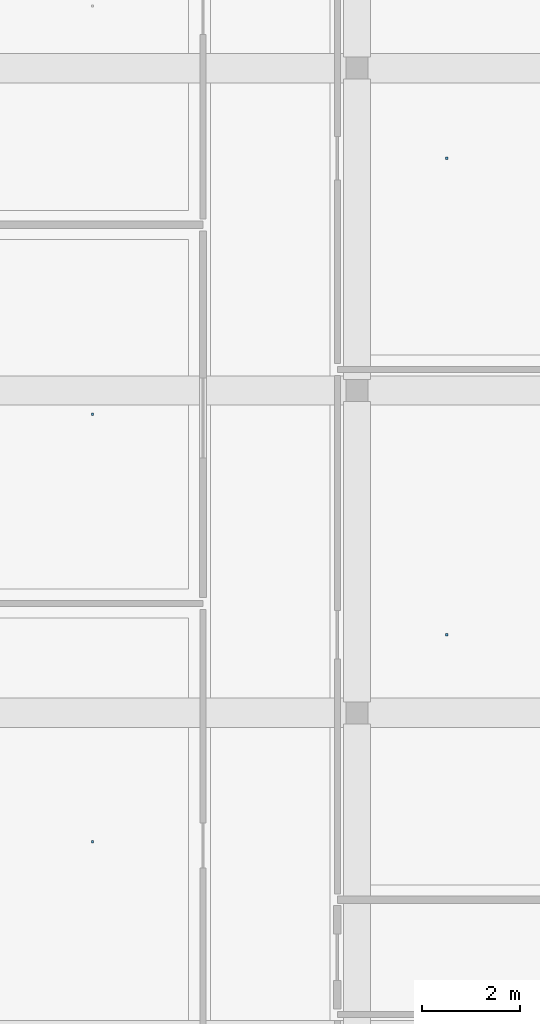
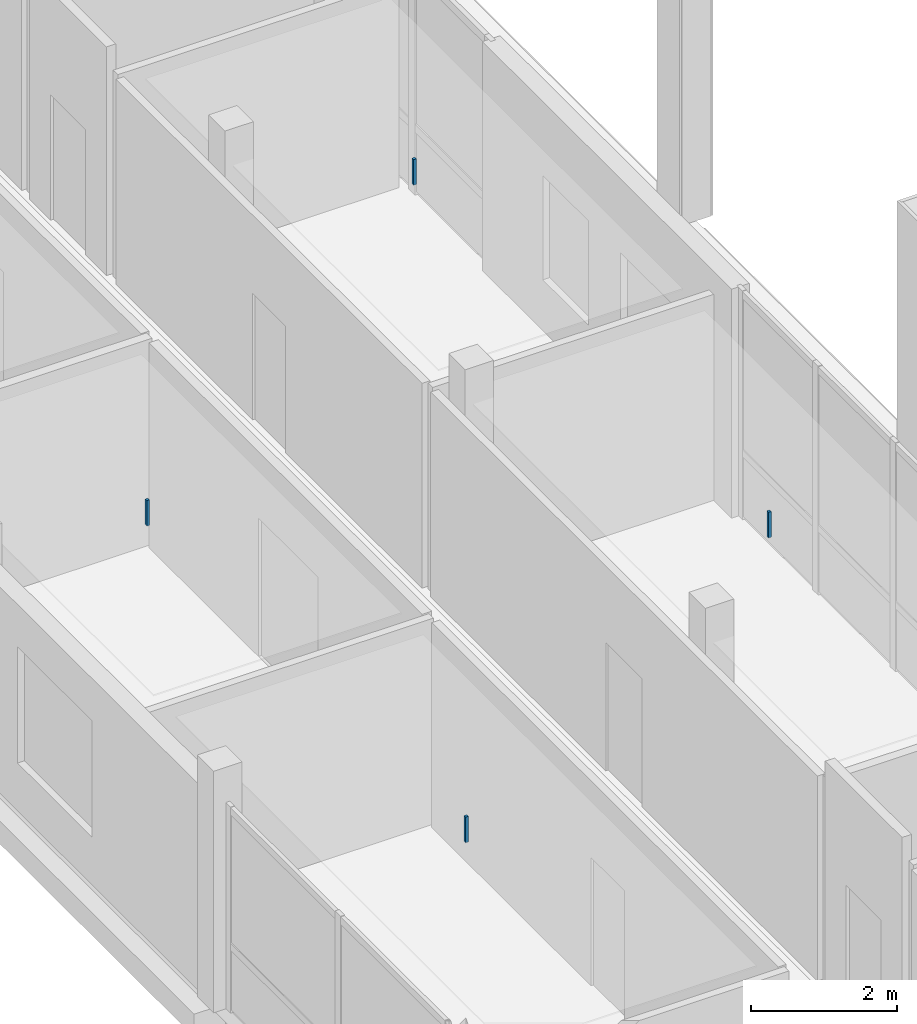
# One storey, part 39 of 48: 4 discrete accessories.
"""IFC4 building model written with IfcOpenShell, lengths in metres."""

from ifc_helpers import new_model, si_unit, derived_unit, direction, frame, origin, origin_2d, place, context, subcontext, project, spatial, rectangle, extrude, material, type_object, element, save


model = new_model("IFC4")

# Units and contexts
model_context = context("Model", 3, precision=1e-05, world=origin(), true_north=direction((0.0, 1.0)))
body_context = subcontext(model_context, "Body", "Model", "MODEL_VIEW")
ifc_project = project(units=[si_unit("LENGTHUNIT", "METRE"), si_unit("AREAUNIT", "SQUARE_METRE"), si_unit("VOLUMEUNIT", "CUBIC_METRE"), si_unit("PLANEANGLEUNIT", "RADIAN"), si_unit("MASSUNIT", "GRAM", prefix="KILO"), derived_unit("THERMALTRANSMITTANCEUNIT", [(si_unit("POWERUNIT", "WATT"), 1), (si_unit("LENGTHUNIT", "METRE"), -2), (si_unit("THERMODYNAMICTEMPERATUREUNIT", "KELVIN"), -1)])], contexts=[model_context])

# Site, building, storey
site_placement = place(None, origin())
site = spatial("IfcSite", under=ifc_project, at=site_placement, CompositionType="ELEMENT")
building_placement = place(site_placement, origin())
building = spatial("IfcBuilding", under=site, at=building_placement, Name="Braskholm Square Health Centre", CompositionType="ELEMENT")
storey_placement = place(building_placement, frame((0.0, 0.0, 17.550048828125)))
storey = spatial("IfcBuildingStorey", under=building, at=storey_placement, Name="L05", CompositionType="ELEMENT", Elevation=17.550048828125)

# Discrete accessories
ifc_material = material(Name="Steel ASTM A500 Grade C", Category="steel")
discrete_accessory_type = type_object("IfcDiscreteAccessoryType", Name="CeilingSuspensionBracket", PredefinedType="BRACKET", material=ifc_material)
for number, where, z_axis, x_axis, name in (
    (1, (158.43994140625, 88.800048828125, 3.421875), (0.0, 0.0, 1.0), (1.0, 0.0, 0.0), "Ceiling hanger bracket 0195"),
    (2, (158.43994140625, 98.554931640625, 3.421875), (0.0, 0.0, 1.0), (1.0, 0.0, 0.0), "Ceiling hanger bracket 0196"),
    (3, (151.18505859375, 84.56005859375, 3.421875), (0.0, 0.0, 1.0), (1.0, 0.0, 0.0), "Ceiling hanger bracket 0202"),
    (4, (151.18505859375, 93.31494140625, 3.421875), (0.0, 0.0, 1.0), (1.0, 0.0, 0.0), "Ceiling hanger bracket 0203"),
):
    element("IfcDiscreteAccessory", number, at=place(storey_placement, frame(where, z_axis=z_axis, x_axis=x_axis)), inside=storey, type_object=discrete_accessory_type, Name=name, PredefinedType="BRACKET", context=body_context, shape_type="SweptSolid", body=[
        extrude(rectangle(XDim=0.044921875, YDim=0.044921875, at=origin_2d()), origin(), (0.0, 0.0, 1.0), 0.429931640625),
    ])

save(model, "model.ifc")
